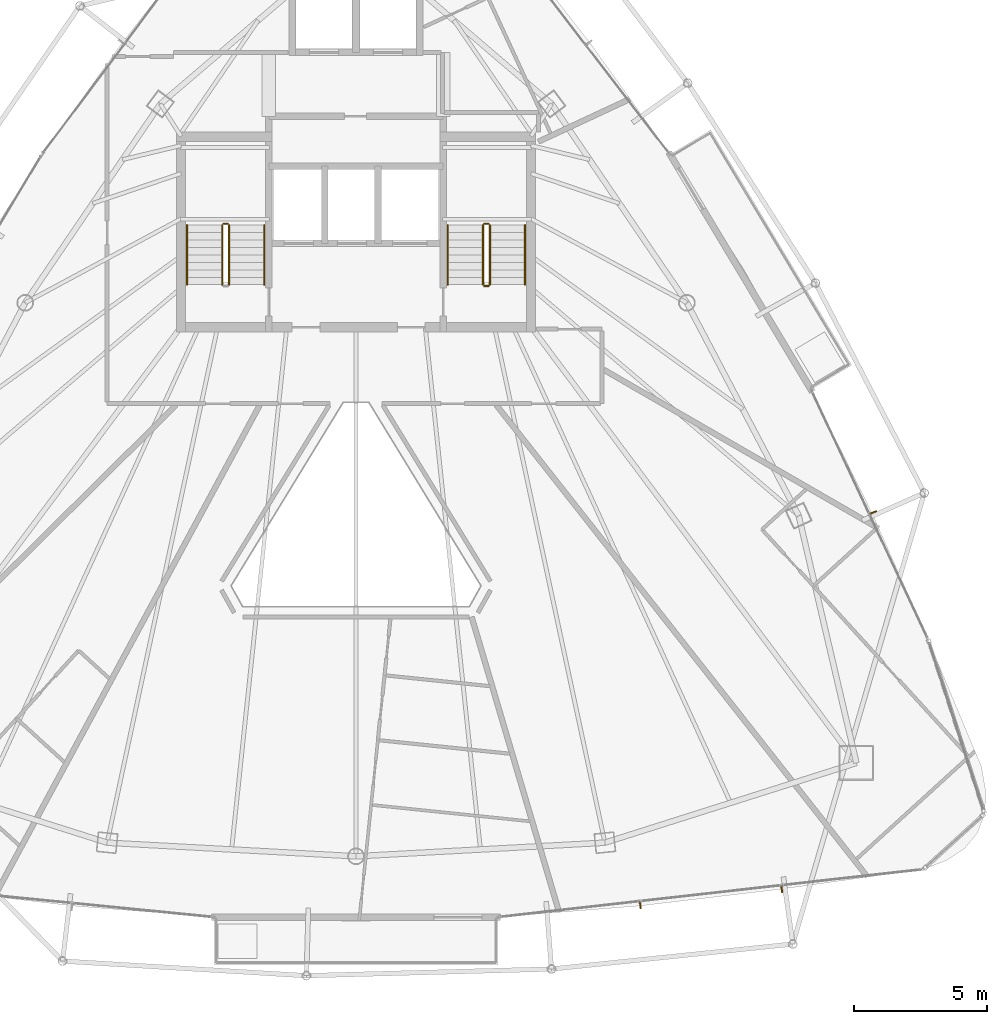
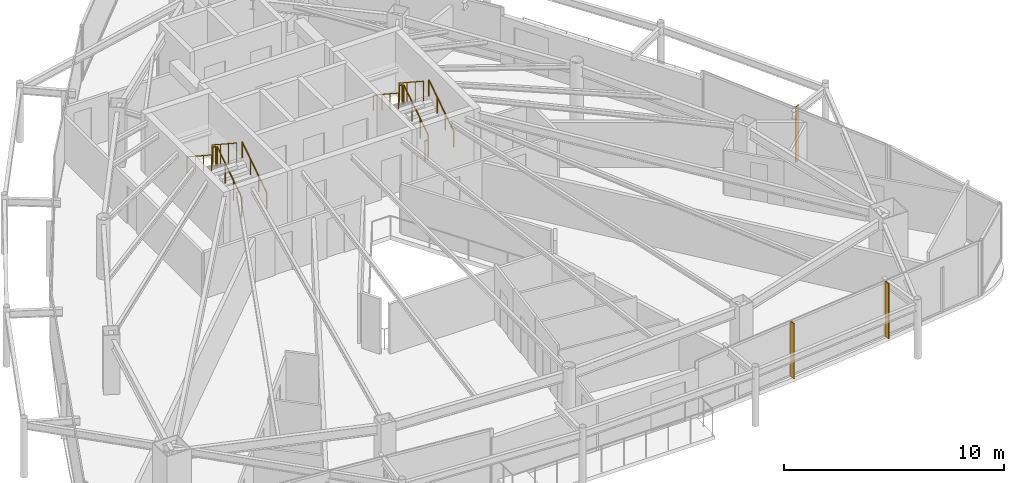
# One storey, part 32 of 33: 11 railings, 3 shading devices.
"""IFC4 building model written with IfcOpenShell, lengths in metres."""

import ifcopenshell
import ifcopenshell.guid

model = None  # the IFC model being written
_history = None  # IfcOwnerHistory: only IFC2X3 demands one
_inside = {}  # id of a spatial element -> (the spatial element, [elements in it])
_under = {}  # id of a project, library or spatial element -> (it, [spatial elements below it])
_declared = {}  # id of a project -> (the project, [libraries it declares])
_typed = {}  # id of a type object -> (the type object, [elements of that type])
_made_of = {}  # id of a material, layer set ... -> (it, [elements and type objects made of it])


def new_model(schema):
    """Start an empty IFC model of exactly this schema.

    Asked for "IFC4X3", IfcOpenShell would pick the latest addendum, in which some entities
    have other attributes; the version numbers below select the first issue.
    IFC2X3 requires an IfcOwnerHistory on every rooted entity: one is made here for all.
    """
    global model, _history
    if schema == "IFC4X3":
        model = ifcopenshell.file(schema_version=(4, 3, 0, 0))
    else:
        model = ifcopenshell.file(schema=schema)
    _inside.clear()
    _under.clear()
    _declared.clear()
    _typed.clear()
    _made_of.clear()
    _history = None
    if model.schema == "IFC2X3":
        org = make("IfcOrganization", Name="unknown")
        user = make(
            "IfcPersonAndOrganization",
            ThePerson=make("IfcPerson", FamilyName="unknown"),
            TheOrganization=org,
        )
        app = make(
            "IfcApplication",
            ApplicationDeveloper=org,
            Version="unknown",
            ApplicationFullName="unknown",
            ApplicationIdentifier="unknown",
        )
        _history = make(
            "IfcOwnerHistory",
            OwningUser=user,
            OwningApplication=app,
            ChangeAction="ADDED",
            CreationDate=0,
        )
    return model


def make(cls, **values):
    """One entity of the class cls with the attributes given. An attribute that is None is left unset."""
    return model.create_entity(
        cls, **{name: value for name, value in values.items() if value is not None}
    )


def rooted(cls, **values):
    """An entity with a GlobalId (a new one), such as an element, a storey or a relation."""
    return make(cls, GlobalId=ifcopenshell.guid.new(), OwnerHistory=_history, **values)


def si_unit(unit_type, name, prefix=None):
    """IfcSIUnit, for example si_unit("LENGTHUNIT", "METRE", prefix="MILLI")."""
    return make("IfcSIUnit", UnitType=unit_type, Prefix=prefix, Name=name)


def assignment(units):
    """IfcUnitAssignment: the units of a project."""
    return None if units is None else make("IfcUnitAssignment", Units=units)


def point(xyz):
    """IfcCartesianPoint."""
    return None if xyz is None else make("IfcCartesianPoint", Coordinates=xyz)


def direction(xyz):
    """IfcDirection."""
    return None if xyz is None else make("IfcDirection", DirectionRatios=xyz)


def frame(location, z_axis=None, x_axis=None):
    """IfcAxis2Placement3D, a coordinate frame: its origin and axes. An axis left out is left unset."""
    return make(
        "IfcAxis2Placement3D",
        Location=point(location),
        Axis=direction(z_axis),
        RefDirection=direction(x_axis),
    )


def frame_2d(location, x_axis=None):
    """IfcAxis2Placement2D, a coordinate frame in the plane: its origin and x axis."""
    return make(
        "IfcAxis2Placement2D", Location=point(location), RefDirection=direction(x_axis)
    )


def origin():
    """The frame at (0, 0, 0) with its axes left unset."""
    return frame((0.0, 0.0, 0.0))


def origin_2d():
    """The frame at (0, 0) in the plane with its x axis left unset."""
    return frame_2d((0.0, 0.0))


def place(relative_to, where):
    """IfcLocalPlacement: puts the frame where relative to a parent placement (None: the world)."""
    return make(
        "IfcLocalPlacement", PlacementRelTo=relative_to, RelativePlacement=where
    )


def context(
    kind, dimensions, precision=None, world=None, true_north=None, identifier=None
):
    """IfcGeometricRepresentationContext, for example the 3D "Model" context."""
    return make(
        "IfcGeometricRepresentationContext",
        ContextIdentifier=identifier,
        ContextType=kind,
        CoordinateSpaceDimension=dimensions,
        Precision=precision,
        WorldCoordinateSystem=world,
        TrueNorth=true_north,
    )


def subcontext(parent, identifier, kind, view, scale=None):
    """IfcGeometricRepresentationSubContext, for example "Body" below "Model"."""
    return make(
        "IfcGeometricRepresentationSubContext",
        ContextIdentifier=identifier,
        ContextType=kind,
        ParentContext=parent,
        TargetScale=scale,
        TargetView=view,
    )


def project(units=None, contexts=None):
    """IfcProject with its units and contexts."""
    return rooted(
        "IfcProject",
        Name="project",
        RepresentationContexts=contexts,
        UnitsInContext=assignment(units),
    )


def spatial(cls, under=None, at=None, **own):
    """A site, building, storey or space (cls), placed at a placement, below another one or the project."""
    s = rooted(cls, ObjectPlacement=at, **own)
    if under is not None:
        _under.setdefault(under.id(), (under, []))[1].append(s)
    return s


def profile(cls, at=None, kind="AREA", **sizes):
    """A parametric profile (cls). Its sizes go by their IFC names, for example OverallWidth=200.0."""
    return make(cls, ProfileType=kind, Position=at, **sizes)


def rectangle(**sizes):
    """IfcRectangleProfileDef."""
    return profile("IfcRectangleProfileDef", **sizes)


def circle(**sizes):
    """IfcCircleProfileDef."""
    return profile("IfcCircleProfileDef", **sizes)


def extrude(swept, where, along, depth):
    """IfcExtrudedAreaSolid: the profile swept, set in the frame where, extruded along a direction by depth."""
    return make(
        "IfcExtrudedAreaSolid",
        SweptArea=swept,
        Position=where,
        ExtrudedDirection=direction(along),
        Depth=depth,
    )


def shape(context_of_items, identifier, shape_type, items):
    """IfcShapeRepresentation: the items that make up one representation, for example the "Body"."""
    return make(
        "IfcShapeRepresentation",
        ContextOfItems=context_of_items,
        RepresentationIdentifier=identifier,
        RepresentationType=shape_type,
        Items=items,
    )


def material(Name=None, Category=None):
    """IfcMaterial."""
    return make("IfcMaterial", Name=Name, Category=Category)


def layer(
    of_material, thickness, ventilated=None, Name=None, Category=None, Priority=None
):
    """IfcMaterialLayer: one layer of a wall or slab, of a material (None: an air gap)."""
    return make(
        "IfcMaterialLayer",
        Material=of_material,
        LayerThickness=thickness,
        IsVentilated=ventilated,
        Name=Name,
        Category=Category,
        Priority=Priority,
    )


def layer_set(layers, Name=None):
    """IfcMaterialLayerSet."""
    return make("IfcMaterialLayerSet", MaterialLayers=layers, LayerSetName=Name)


def made_of(thing, what):
    """Note that an element or type object is made of a material, layer set ...; save() writes the relation."""
    if what is not None:
        _made_of.setdefault(what.id(), (what, []))[1].append(thing)
    return thing


def type_object(cls, material=None, **own):
    """A type object (cls), such as IfcWallType, which elements share."""
    return made_of(rooted(cls, **own), material)


def element(
    cls,
    number,
    at=None,
    inside=None,
    cuts=None,
    type_object=None,
    material=None,
    context=None,
    identifier="Body",
    shape_type=None,
    held_by="IfcProductDefinitionShape",
    body=None,
    shapes=None,
    **own,
):
    """One element of the class cls, such as IfcWall. Its Tag is "e" and its number.

    at: its placement. inside: the storey or other place that contains it. cuts: it is an
    opening in that element (IfcRelVoidsElement). A single representation is given by context,
    identifier, shape_type and body (its items); several are given by shapes. held_by: the class
    of the entity that holds the representations. save() writes the other relations.
    """
    e = rooted(cls, Tag="e%d" % number, ObjectPlacement=at, **own)
    if body is not None:
        shapes = [shape(context, identifier, shape_type, body)]
    if shapes is not None:
        e.Representation = make(held_by, Representations=shapes)
    if inside is not None:
        _inside.setdefault(inside.id(), (inside, []))[1].append(e)
    if cuts is not None:
        rooted(
            "IfcRelVoidsElement", RelatingBuildingElement=cuts, RelatedOpeningElement=e
        )
    if type_object is not None:
        _typed.setdefault(type_object.id(), (type_object, []))[1].append(e)
    return made_of(e, material)


def aggregate(whole, parts):
    """IfcRelAggregates: a whole, such as a stair, and the parts it consists of."""
    return rooted("IfcRelAggregates", RelatingObject=whole, RelatedObjects=parts)


def save(model, path):
    """Write the relations noted so far, then the file.

    IfcRelAggregates (storeys below a building ...), IfcRelContainedInSpatialStructure (elements
    in a storey), IfcRelDefinesByType, IfcRelAssociatesMaterial and IfcRelDeclares: one each for
    every whole, place, type object, material and project.
    """
    for whole, parts in _under.values():
        aggregate(whole, parts)
    for where, things in _inside.values():
        rooted(
            "IfcRelContainedInSpatialStructure",
            RelatedElements=things,
            RelatingStructure=where,
        )
    for kind, things in _typed.values():
        rooted("IfcRelDefinesByType", RelatedObjects=things, RelatingType=kind)
    for what, things in _made_of.values():
        rooted("IfcRelAssociatesMaterial", RelatedObjects=things, RelatingMaterial=what)
    for by, libraries in _declared.values():
        rooted("IfcRelDeclares", RelatingContext=by, RelatedDefinitions=libraries)
    model.write(path)


model = new_model("IFC4")

# Units and contexts
model_context = context("Model", 3, precision=1e-05, world=origin(), true_north=direction((0.0, 1.0)))
body_context = subcontext(model_context, "Body", "Model", "MODEL_VIEW")
ifc_project = project(units=[si_unit("LENGTHUNIT", "METRE"), si_unit("AREAUNIT", "SQUARE_METRE"), si_unit("VOLUMEUNIT", "CUBIC_METRE"), si_unit("PLANEANGLEUNIT", "RADIAN"), si_unit("MASSUNIT", "GRAM", prefix="KILO")], contexts=[model_context])

# Site, building, storey
site_placement = place(None, origin())
site = spatial("IfcSite", under=ifc_project, at=site_placement, CompositionType="ELEMENT")
building_placement = place(site_placement, origin())
building = spatial("IfcBuilding", under=site, at=building_placement, Name="Orvanel Arch Residences", CompositionType="ELEMENT")
storey_placement = place(building_placement, frame((0.0, 0.0, 196.39990234375)))
storey = spatial("IfcBuildingStorey", under=building, at=storey_placement, Name="L55", CompositionType="ELEMENT", Elevation=196.39990234375)

# Shading devices
ifc_material_1 = material(Name="Bronze-anodised aluminium AA6063-T6", Category="aluminium")
ifc_layer = layer(ifc_material_1, 0.050048828125)
ifc_layer_set = layer_set([ifc_layer], Name="Bronze-anodised aluminium AA6063-T6")
shading_device_type = type_object("IfcShadingDeviceType", Name="FIN-BRZ-260", PredefinedType="USERDEFINED", material=ifc_layer_set)
for number, where, z_axis, x_axis, name in (
    (1, (43.681884765625, 5.0009765625, 0.0), (0.0, 0.0, 1.0), (0.111468932206, -0.993767919161, 0.0), "L55 Anodised Bronze Mullion FIN 01"),
    (2, (48.9970703125, 5.59912109375, 0.0), (0.0, 0.0, 1.0), (0.111468932206, -0.993767919161, 0.0), "L55 Anodised Bronze Mullion FIN 02"),
    (3, (52.43505859375, 19.763916015625, 0.0), (0.0, 0.0, 1.0), (0.905568799011, 0.424199422745, 0.0), "L55 Anodised Bronze Mullion FIN 01"),
):
    element("IfcShadingDevice", number, at=place(storey_placement, frame(where, z_axis=z_axis, x_axis=x_axis)), inside=storey, type_object=shading_device_type, Name=name, ObjectType="FIN", PredefinedType="USERDEFINED", context=body_context, shape_type="SweptSolid", body=[
        extrude(rectangle(XDim=0.260009765625, YDim=0.050048828125, at=origin_2d()), origin(), (0.0, 0.0, 1.0), 3.06005859375),
    ])

# Railings
ifc_material_2 = material(Name="Structural steel AS/NZS 1163 C350L0 (Grade 350)", Category="steel")
railing_type_1 = type_object("IfcRailingType", Name="RL-STAIR-GUARD", PredefinedType="GUARDRAIL", material=ifc_material_2)
railing_1_placement = place(storey_placement, frame((28.22998046875, 28.320068359375, 0.183349609375)))
element("IfcRailing", 4, at=railing_1_placement, inside=storey, type_object=railing_type_1, Name="L55 ST-1 stair guard 1", PredefinedType="GUARDRAIL", context=body_context, shape_type="SweptSolid", body=[
    extrude(circle(Radius=0.02392578125, at=origin_2d()), frame((0.0, 0.001220703125, 1.076904296875), z_axis=(0.0, 0.836595146698, 0.547821650285), x_axis=(-1.0, 0.0, 0.0)), (0.0, 0.0, 1.0), 2.674560546875),
    extrude(circle(Radius=0.02099609375, at=origin_2d()), origin(), (0.0, 0.0, 1.0), 1.050048828125),
    extrude(circle(Radius=0.02099609375, at=origin_2d()), frame((0.0, 0.74658203125, 0.489013671875)), (0.0, 0.0, 1.0), 1.050048828125),
    extrude(circle(Radius=0.02099609375, at=origin_2d()), frame((0.0, 1.493408203125, 0.977783203125)), (0.0, 0.0, 1.0), 1.050048828125),
    extrude(circle(Radius=0.02099609375, at=origin_2d()), frame((0.0, 2.239990234375, 1.466796875)), (0.0, 0.0, 1.0), 1.050048828125),
])
railing_2_placement = place(storey_placement, frame((28.179931640625, 30.610107421875, 1.650146484375)))
element("IfcRailing", 5, at=railing_2_placement, inside=storey, type_object=railing_type_1, Name="L55 ST-1 stair guard 2", PredefinedType="GUARDRAIL", context=body_context, shape_type="SweptSolid", body=[
    extrude(circle(Radius=0.02392578125, at=origin_2d()), frame((-0.00146484375, 0.0, 1.076171875), z_axis=(-1.0, 0.0, 0.0), x_axis=(0.0, -1.0, 0.0)), (0.0, 0.0, 1.0), 0.156982421875),
    extrude(circle(Radius=0.02099609375, at=origin_2d()), origin(), (0.0, 0.0, 1.0), 1.050048828125),
    extrude(circle(Radius=0.02099609375, at=origin_2d()), frame((-0.159912109375, 0.0, 0.0)), (0.0, 0.0, 1.0), 1.050048828125),
])
railing_3_placement = place(storey_placement, frame((27.969970703125, 30.56005859375, 1.83349609375)))
element("IfcRailing", 6, at=railing_3_placement, inside=storey, type_object=railing_type_1, Name="L55 ST-1 stair guard 3", PredefinedType="GUARDRAIL", context=body_context, shape_type="SweptSolid", body=[
    extrude(circle(Radius=0.02392578125, at=origin_2d()), frame((0.0, -0.001220703125, 1.076904296875), z_axis=(0.0, -0.836636935527, 0.547757827979), x_axis=(1.0, 0.0, 0.0)), (0.0, 0.0, 1.0), 2.67431640625),
    extrude(circle(Radius=0.02099609375, at=origin_2d()), origin(), (0.0, 0.0, 1.0), 1.050048828125),
    extrude(circle(Radius=0.02099609375, at=origin_2d()), frame((0.0, -0.74658203125, 0.48876953125)), (0.0, 0.0, 1.0), 1.050048828125),
    extrude(circle(Radius=0.02099609375, at=origin_2d()), frame((0.0, -1.493408203125, 0.977783203125)), (0.0, 0.0, 1.0), 1.050048828125),
    extrude(circle(Radius=0.02099609375, at=origin_2d()), frame((0.0, -2.239990234375, 1.466552734375)), (0.0, 0.0, 1.0), 1.050048828125),
])
railing_4_placement = place(storey_placement, frame((38.030029296875, 28.320068359375, 0.183349609375)))
element("IfcRailing", 7, at=railing_4_placement, inside=storey, type_object=railing_type_1, Name="L55 ST-2 stair guard 1", PredefinedType="GUARDRAIL", context=body_context, shape_type="SweptSolid", body=[
    extrude(circle(Radius=0.02392578125, at=origin_2d()), frame((0.0, 0.001220703125, 1.076904296875), z_axis=(0.0, 0.836595146698, 0.547821650285), x_axis=(-1.0, 0.0, 0.0)), (0.0, 0.0, 1.0), 2.674560546875),
    extrude(circle(Radius=0.02099609375, at=origin_2d()), origin(), (0.0, 0.0, 1.0), 1.050048828125),
    extrude(circle(Radius=0.02099609375, at=origin_2d()), frame((0.0, 0.74658203125, 0.489013671875)), (0.0, 0.0, 1.0), 1.050048828125),
    extrude(circle(Radius=0.02099609375, at=origin_2d()), frame((0.0, 1.493408203125, 0.977783203125)), (0.0, 0.0, 1.0), 1.050048828125),
    extrude(circle(Radius=0.02099609375, at=origin_2d()), frame((0.0, 2.239990234375, 1.466796875)), (0.0, 0.0, 1.0), 1.050048828125),
])
railing_5_placement = place(storey_placement, frame((37.97998046875, 30.610107421875, 1.650146484375)))
element("IfcRailing", 8, at=railing_5_placement, inside=storey, type_object=railing_type_1, Name="L55 ST-2 stair guard 2", PredefinedType="GUARDRAIL", context=body_context, shape_type="SweptSolid", body=[
    extrude(circle(Radius=0.02392578125, at=origin_2d()), frame((-0.00146484375, 0.0, 1.076171875), z_axis=(-1.0, 0.0, 0.0), x_axis=(0.0, -1.0, 0.0)), (0.0, 0.0, 1.0), 0.156982421875),
    extrude(circle(Radius=0.02099609375, at=origin_2d()), origin(), (0.0, 0.0, 1.0), 1.050048828125),
    extrude(circle(Radius=0.02099609375, at=origin_2d()), frame((-0.159912109375, 0.0, 0.0)), (0.0, 0.0, 1.0), 1.050048828125),
])
railing_6_placement = place(storey_placement, frame((37.77001953125, 30.56005859375, 1.83349609375)))
element("IfcRailing", 9, at=railing_6_placement, inside=storey, type_object=railing_type_1, Name="L55 ST-2 stair guard 3", PredefinedType="GUARDRAIL", context=body_context, shape_type="SweptSolid", body=[
    extrude(circle(Radius=0.02392578125, at=origin_2d()), frame((0.0, -0.001220703125, 1.076904296875), z_axis=(0.0, -0.836636935527, 0.547757827979), x_axis=(1.0, 0.0, 0.0)), (0.0, 0.0, 1.0), 2.67431640625),
    extrude(circle(Radius=0.02099609375, at=origin_2d()), origin(), (0.0, 0.0, 1.0), 1.050048828125),
    extrude(circle(Radius=0.02099609375, at=origin_2d()), frame((0.0, -0.74658203125, 0.48876953125)), (0.0, 0.0, 1.0), 1.050048828125),
    extrude(circle(Radius=0.02099609375, at=origin_2d()), frame((0.0, -1.493408203125, 0.977783203125)), (0.0, 0.0, 1.0), 1.050048828125),
    extrude(circle(Radius=0.02099609375, at=origin_2d()), frame((0.0, -2.239990234375, 1.466552734375)), (0.0, 0.0, 1.0), 1.050048828125),
])
railing_7_placement = place(storey_placement, frame((37.97998046875, 28.27001953125, 0.0)))
element("IfcRailing", 10, at=railing_7_placement, inside=storey, type_object=railing_type_1, Name="L55 ST-2 stair guard 4", PredefinedType="GUARDRAIL", context=body_context, shape_type="SweptSolid", body=[
    extrude(circle(Radius=0.02392578125, at=origin_2d()), frame((-0.00146484375, 0.0, 1.076171875), z_axis=(-1.0, 0.0, 0.0), x_axis=(0.0, -1.0, 0.0)), (0.0, 0.0, 1.0), 0.156982421875),
    extrude(circle(Radius=0.02099609375, at=origin_2d()), origin(), (0.0, 0.0, 1.0), 1.050048828125),
    extrude(circle(Radius=0.02099609375, at=origin_2d()), frame((-0.159912109375, 0.0, 0.0)), (0.0, 0.0, 1.0), 1.050048828125),
])
railing_type_2 = type_object("IfcRailingType", Name="RL-STAIR-HAND", PredefinedType="HANDRAIL", material=ifc_material_2)
railing_8_placement = place(storey_placement, frame((29.550048828125, 28.320068359375, 0.183349609375)))
element("IfcRailing", 11, at=railing_8_placement, inside=storey, type_object=railing_type_2, Name="L55 ST-1 stair handrail 1", PredefinedType="HANDRAIL", context=body_context, shape_type="SweptSolid", body=[
    extrude(circle(Radius=0.02392578125, at=origin_2d()), frame((0.0, 0.001220703125, 0.876708984375), z_axis=(0.0, 0.836595146698, 0.547821650285), x_axis=(-1.0, 0.0, 0.0)), (0.0, 0.0, 1.0), 2.674560546875),
    extrude(circle(Radius=0.02099609375, at=origin_2d()), origin(), (0.0, 0.0, 1.0), 0.849853515625),
    extrude(circle(Radius=0.02099609375, at=origin_2d()), frame((0.0, 0.74658203125, 0.489013671875)), (0.0, 0.0, 1.0), 0.849853515625),
    extrude(circle(Radius=0.02099609375, at=origin_2d()), frame((0.0, 1.493408203125, 0.977783203125)), (0.0, 0.0, 1.0), 0.849853515625),
    extrude(circle(Radius=0.02099609375, at=origin_2d()), frame((0.0, 2.239990234375, 1.466796875)), (0.0, 0.0, 1.0), 0.849853515625),
])
railing_9_placement = place(storey_placement, frame((26.64990234375, 30.56005859375, 1.83349609375)))
element("IfcRailing", 12, at=railing_9_placement, inside=storey, type_object=railing_type_2, Name="L55 ST-1 stair handrail 2", PredefinedType="HANDRAIL", context=body_context, shape_type="SweptSolid", body=[
    extrude(circle(Radius=0.02392578125, at=origin_2d()), frame((0.0, -0.001220703125, 0.876708984375), z_axis=(0.0, -0.836636935527, 0.547757827979), x_axis=(1.0, 0.0, 0.0)), (0.0, 0.0, 1.0), 2.67431640625),
    extrude(circle(Radius=0.02099609375, at=origin_2d()), origin(), (0.0, 0.0, 1.0), 0.849853515625),
    extrude(circle(Radius=0.02099609375, at=origin_2d()), frame((0.0, -0.74658203125, 0.48876953125)), (0.0, 0.0, 1.0), 0.849853515625),
    extrude(circle(Radius=0.02099609375, at=origin_2d()), frame((0.0, -1.493408203125, 0.977783203125)), (0.0, 0.0, 1.0), 0.849853515625),
    extrude(circle(Radius=0.02099609375, at=origin_2d()), frame((0.0, -2.239990234375, 1.466552734375)), (0.0, 0.0, 1.0), 0.849853515625),
])
railing_10_placement = place(storey_placement, frame((39.35009765625, 28.320068359375, 0.183349609375)))
element("IfcRailing", 13, at=railing_10_placement, inside=storey, type_object=railing_type_2, Name="L55 ST-2 stair handrail 1", PredefinedType="HANDRAIL", context=body_context, shape_type="SweptSolid", body=[
    extrude(circle(Radius=0.02392578125, at=origin_2d()), frame((0.0, 0.001220703125, 0.876708984375), z_axis=(0.0, 0.836595146698, 0.547821650285), x_axis=(-1.0, 0.0, 0.0)), (0.0, 0.0, 1.0), 2.674560546875),
    extrude(circle(Radius=0.02099609375, at=origin_2d()), origin(), (0.0, 0.0, 1.0), 0.849853515625),
    extrude(circle(Radius=0.02099609375, at=origin_2d()), frame((0.0, 0.74658203125, 0.489013671875)), (0.0, 0.0, 1.0), 0.849853515625),
    extrude(circle(Radius=0.02099609375, at=origin_2d()), frame((0.0, 1.493408203125, 0.977783203125)), (0.0, 0.0, 1.0), 0.849853515625),
    extrude(circle(Radius=0.02099609375, at=origin_2d()), frame((0.0, 2.239990234375, 1.466796875)), (0.0, 0.0, 1.0), 0.849853515625),
])
railing_11_placement = place(storey_placement, frame((36.449951171875, 30.56005859375, 1.83349609375)))
element("IfcRailing", 14, at=railing_11_placement, inside=storey, type_object=railing_type_2, Name="L55 ST-2 stair handrail 2", PredefinedType="HANDRAIL", context=body_context, shape_type="SweptSolid", body=[
    extrude(circle(Radius=0.02392578125, at=origin_2d()), frame((0.0, -0.001220703125, 0.876708984375), z_axis=(0.0, -0.836636935527, 0.547757827979), x_axis=(1.0, 0.0, 0.0)), (0.0, 0.0, 1.0), 2.67431640625),
    extrude(circle(Radius=0.02099609375, at=origin_2d()), origin(), (0.0, 0.0, 1.0), 0.849853515625),
    extrude(circle(Radius=0.02099609375, at=origin_2d()), frame((0.0, -0.74658203125, 0.48876953125)), (0.0, 0.0, 1.0), 0.849853515625),
    extrude(circle(Radius=0.02099609375, at=origin_2d()), frame((0.0, -1.493408203125, 0.977783203125)), (0.0, 0.0, 1.0), 0.849853515625),
    extrude(circle(Radius=0.02099609375, at=origin_2d()), frame((0.0, -2.239990234375, 1.466552734375)), (0.0, 0.0, 1.0), 0.849853515625),
])

save(model, "model.ifc")
